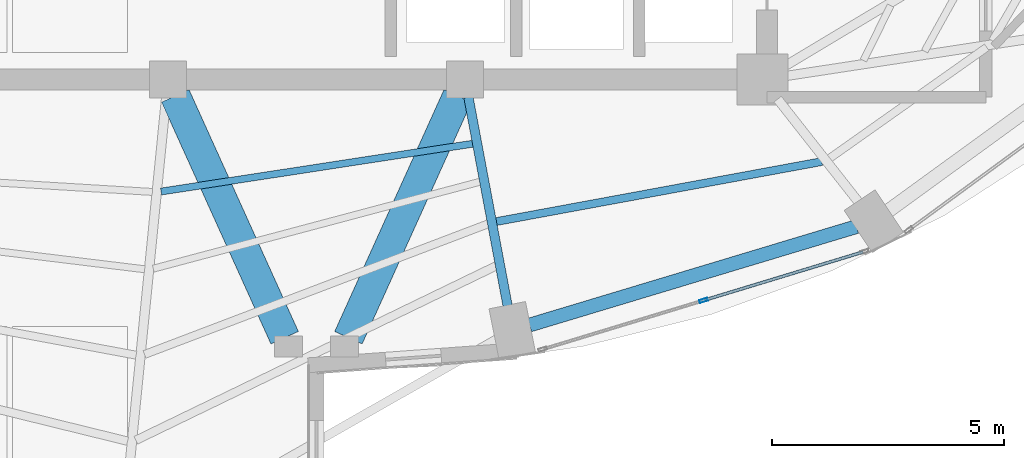
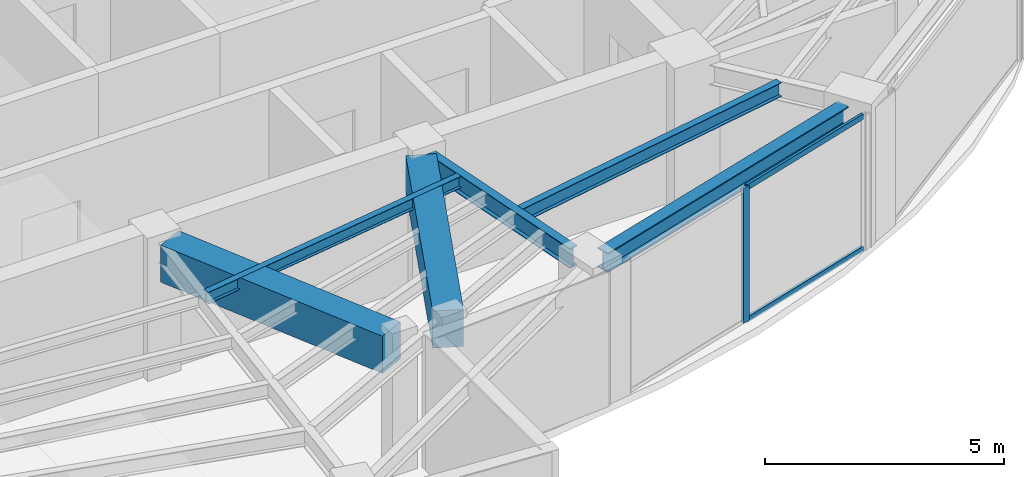
# One storey, part 7 of 22: 6 beams, 3 members, 1 element without a shape of its own.
"""IFC4 building model written with IfcOpenShell, lengths in metres."""

from ifc_helpers import new_model, si_unit, direction, frame, origin, origin_2d, place, context, subcontext, project, spatial, rectangle, hollow_rectangle, i_section, extrude, material, layer, layer_set, material_profile, profile_set, type_object, element, aggregate, save


model = new_model("IFC4")

# Units and contexts
model_context = context("Model", 3, precision=1e-05, world=origin(), true_north=direction((0.0, 1.0)))
body_context = subcontext(model_context, "Body", "Model", "MODEL_VIEW")
ifc_project = project(units=[si_unit("LENGTHUNIT", "METRE"), si_unit("AREAUNIT", "SQUARE_METRE"), si_unit("VOLUMEUNIT", "CUBIC_METRE"), si_unit("PLANEANGLEUNIT", "RADIAN"), si_unit("MASSUNIT", "GRAM", prefix="KILO")], contexts=[model_context])

# Site, building, storey
site_placement = place(None, origin())
site = spatial("IfcSite", under=ifc_project, at=site_placement, CompositionType="ELEMENT")
building_placement = place(site_placement, origin())
building = spatial("IfcBuilding", under=site, at=building_placement, Name="Lazwardi Medical Tower", CompositionType="ELEMENT")
storey_placement = place(building_placement, frame((0.0, 0.0, 238.60791015625)))
storey = spatial("IfcBuildingStorey", under=building, at=storey_placement, Name="L62", CompositionType="ELEMENT", Elevation=238.60791015625)

# Beams
ifc_material_1 = material(Name="Concrete C60/75", Category="concrete")
ifc_material_profile_1 = material_profile(ifc_material_1, rectangle(XDim=0.64990234375, YDim=0.949951171875, at=origin_2d()), Name="RC 650x950")
ifc_profile_set_1 = profile_set([ifc_material_profile_1], Name="Concrete C60/75")
beam_type_1 = type_object("IfcBeamType", Name="BM-CB-RC2", PredefinedType="LINTEL", material=ifc_profile_set_1)
for number, where, z_axis, x_axis, name in (
    (1, (32.95849609375, 20.04931640625, 2.97314453125), (0.412019279944, -0.911175127489, 0.0), (0.911175127489, 0.412019279944, 0.0), "Core coupling lintel CB-02 PL3 L62"),
    (2, (39.04150390625, 20.04931640625, 2.97314453125), (-0.412019279944, -0.911175127489, 0.0), (0.911175127489, -0.412019279944, 0.0), "Core coupling lintel CB-02 PL4 L62"),
):
    element("IfcBeam", number, at=place(storey_placement, frame(where, z_axis=z_axis, x_axis=x_axis)), inside=storey, type_object=beam_type_1, Name=name, PredefinedType="LINTEL", context=body_context, shape_type="SweptSolid", body=[
        extrude(rectangle(XDim=0.64990234375, YDim=0.949951171875, at=origin_2d()), origin(), (0.0, 0.0, 1.0), 5.7158203125),
    ])
ifc_material_2 = material(Name="Steel S355", Category="steel")
ifc_material_profile_2 = material_profile(ifc_material_2, i_section(OverallWidth=0.300048828125, OverallDepth=0.5, WebThickness=0.014404296875, FlangeThickness=0.028076171875, at=origin_2d()), Name="HEB 500")
ifc_profile_set_2 = profile_set([ifc_material_profile_2], Name="Steel S355")
beam_type_2 = type_object("IfcBeamType", Name="BM-RB-Z4", PredefinedType="BEAM", material=ifc_profile_set_2)
beam_1_placement = place(storey_placement, frame((40.58740234375, 15.114013671875, 3.197998046875), z_axis=(0.957544311906, 0.288286126506, 0.0), x_axis=(-0.288286126506, 0.957544311906, 0.0)))
element("IfcBeam", 3, at=beam_1_placement, inside=storey, type_object=beam_type_2, Name="Ring beam RB-05 B01 L62", PredefinedType="BEAM", context=body_context, shape_type="SweptSolid", body=[
    extrude(i_section(OverallWidth=0.300048828125, OverallDepth=0.5, WebThickness=0.014404296875, FlangeThickness=0.028076171875, at=origin_2d()), origin(), (0.0, 0.0, 1.0), 7.3515625),
])
ifc_material_profile_3 = material_profile(ifc_material_2, i_section(OverallWidth=0.199951171875, OverallDepth=0.5, WebThickness=0.01025390625, FlangeThickness=0.01611328125, at=origin_2d()), Name="IPE 500")
ifc_profile_set_3 = profile_set([ifc_material_profile_3], Name="Steel S355")
beam_type_3 = type_object("IfcBeamType", Name="BM-RG-W3", PredefinedType="BEAM", material=ifc_profile_set_3)
beam_2_placement = place(storey_placement, frame((40.115234375, 15.527587890625, 3.197998046875), z_axis=(-0.184633463507, 0.982807450192, 0.0), x_axis=(-0.982807450192, -0.184633463507, 0.0)))
element("IfcBeam", 4, at=beam_2_placement, inside=storey, type_object=beam_type_3, Name="Radial girder RG-04 R01 L62", PredefinedType="BEAM", context=body_context, shape_type="SweptSolid", body=[
    extrude(i_section(OverallWidth=0.199951171875, OverallDepth=0.5, WebThickness=0.01025390625, FlangeThickness=0.01611328125, at=origin_2d()), origin(), (0.0, 0.0, 1.0), 4.572509765625),
])
ifc_material_profile_4 = material_profile(ifc_material_2, i_section(OverallWidth=0.169921875, OverallDepth=0.360107421875, WebThickness=0.008056640625, FlangeThickness=0.0126953125, at=origin_2d()), Name="IPE 360")
ifc_profile_set_4 = profile_set([ifc_material_profile_4], Name="Steel S355")
beam_type_4 = type_object("IfcBeamType", Name="BM-SJ-02", PredefinedType="JOIST", material=ifc_profile_set_4)
beam_3_placement = place(storey_placement, frame((39.87109375, 17.34228515625, 3.26806640625), z_axis=(0.983427965623, 0.181299300688, 0.0), x_axis=(-0.181299300688, 0.983427965623, 0.0)))
element("IfcBeam", 5, at=beam_3_placement, inside=storey, type_object=beam_type_4, Name="Secondary joist SJ-02 R2 B01 L62", PredefinedType="JOIST", context=body_context, shape_type="SweptSolid", body=[
    extrude(i_section(OverallWidth=0.169921875, OverallDepth=0.360107421875, WebThickness=0.008056640625, FlangeThickness=0.0126953125, at=origin_2d()), origin(), (0.0, 0.0, 1.0), 7.127685546875),
])
ifc_material_profile_5 = material_profile(ifc_material_2, i_section(OverallWidth=0.14990234375, OverallDepth=0.300048828125, WebThickness=0.007080078125, FlangeThickness=0.0107421875, at=origin_2d()), Name="IPE 300")
ifc_profile_set_5 = profile_set([ifc_material_profile_5], Name="Steel S355")
beam_type_5 = type_object("IfcBeamType", Name="BM-SJ-03", PredefinedType="JOIST", material=ifc_profile_set_5)
beam_4_placement = place(storey_placement, frame((32.652587890625, 17.989013671875, 3.298095703125), z_axis=(0.988433562862, 0.151654514629, 0.0), x_axis=(-0.151654514629, 0.988433562862, 0.0)))
element("IfcBeam", 6, at=beam_4_placement, inside=storey, type_object=beam_type_5, Name="Secondary joist SJ-03 R4 B16 L62", PredefinedType="JOIST", context=body_context, shape_type="SweptSolid", body=[
    extrude(i_section(OverallWidth=0.14990234375, OverallDepth=0.300048828125, WebThickness=0.007080078125, FlangeThickness=0.0107421875, at=origin_2d()), origin(), (0.0, 0.0, 1.0), 6.788818359375),
])

# Curtain wall, members
ifc_material_3 = material(Name="Anodised bronze aluminium and solar control glazing", Category="aluminium")
ifc_layer = layer(ifc_material_3, 0.18994140625)
ifc_layer_set = layer_set([ifc_layer], Name="Anodised bronze aluminium and solar control glazing")
curtain_wall_type = type_object("IfcCurtainWallType", Name="CW-SYS-04", PredefinedType="NOTDEFINED", material=ifc_layer_set)
curtain_wall_placement = place(storey_placement, origin())
curtain_wall = element("IfcCurtainWall", 7, at=curtain_wall_placement, inside=storey, type_object=curtain_wall_type, Name="L62 Unitised bronze curtain wall CW-04", PredefinedType="NOTDEFINED")
ifc_material_4 = material(Name="Anodised bronze aluminium", Category="aluminium")
ifc_material_profile_6 = material_profile(ifc_material_4, hollow_rectangle(XDim=0.06494140625, YDim=0.179931640625, WallThickness=0.00390625, at=origin_2d()), Name="ALU-MULLION 180x65x4")
ifc_profile_set_6 = profile_set([ifc_material_profile_6], Name="Anodised bronze aluminium")
member_type_1 = type_object("IfcMemberType", Name="CW-MUL-03", PredefinedType="MULLION", material=ifc_profile_set_6)
member_1_placement = place(storey_placement, frame((44.33642578125, 15.644775390625, 0.0), z_axis=(0.0, 0.0, 1.0), x_axis=(-0.290581889515, 0.956850126972, 0.0)))
member_1 = element("IfcMember", 8, at=member_1_placement, type_object=member_type_1, Name="CW-04 mullion 2", PredefinedType="MULLION", context=body_context, shape_type="SweptSolid", body=[
    extrude(hollow_rectangle(XDim=0.06494140625, YDim=0.179931640625, WallThickness=0.00390625, at=origin_2d()), origin(), (0.0, 0.0, 1.0), 3.447998046875),
])
ifc_material_profile_7 = material_profile(ifc_material_4, hollow_rectangle(XDim=0.06494140625, YDim=0.139892578125, WallThickness=0.00341796875, at=origin_2d()), Name="ALU-TRANSOM 140x65x3.5")
ifc_profile_set_7 = profile_set([ifc_material_profile_7], Name="Anodised bronze aluminium")
member_type_2 = type_object("IfcMemberType", Name="CW-TRN-03", PredefinedType="USERDEFINED", material=ifc_profile_set_7)
member_2_placement = place(storey_placement, frame((44.367431640625, 15.654052734375, 0.032470703125), z_axis=(0.956843409009, 0.290604010015, 0.0), x_axis=(-0.290604010015, 0.956843409009, 0.0)))
member_2 = element("IfcMember", 9, at=member_2_placement, type_object=member_type_2, Name="CW-04 transom 2.1", ObjectType="TRANSOM", PredefinedType="USERDEFINED", context=body_context, shape_type="SweptSolid", body=[
    extrude(hollow_rectangle(XDim=0.06494140625, YDim=0.139892578125, WallThickness=0.00341796875, at=origin_2d()), origin(), (0.0, 0.0, 1.0), 3.554443359375),
])
member_3_placement = place(storey_placement, frame((44.367431640625, 15.654052734375, 3.41552734375), z_axis=(0.956843409009, 0.290604010015, 0.0), x_axis=(-0.290604010015, 0.956843409009, 0.0)))
member_3 = element("IfcMember", 10, at=member_3_placement, type_object=member_type_2, Name="CW-04 transom 2.2", ObjectType="TRANSOM", PredefinedType="USERDEFINED", context=body_context, shape_type="SweptSolid", body=[
    extrude(hollow_rectangle(XDim=0.06494140625, YDim=0.139892578125, WallThickness=0.00341796875, at=origin_2d()), origin(), (0.0, 0.0, 1.0), 3.554443359375),
])
aggregate(curtain_wall, [member_1, member_2, member_3])

save(model, "model.ifc")
